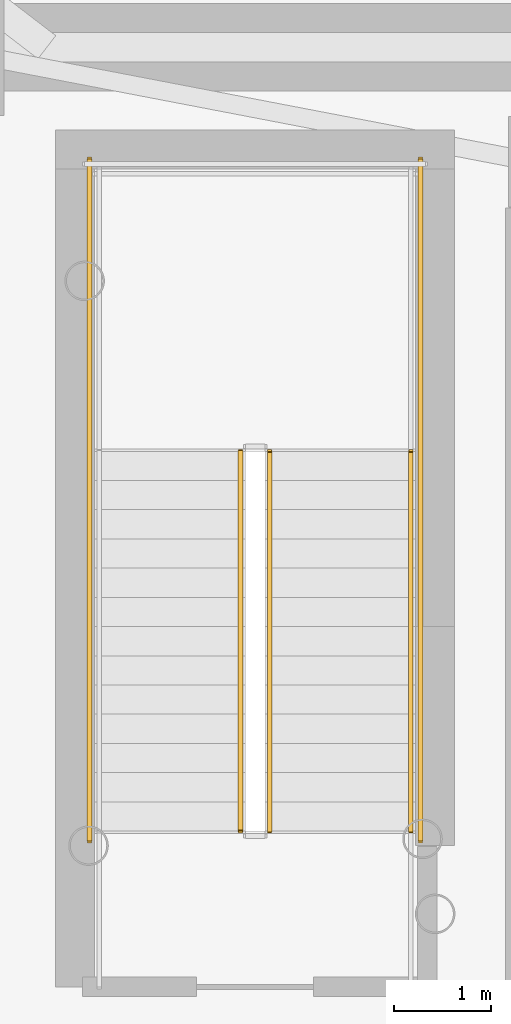
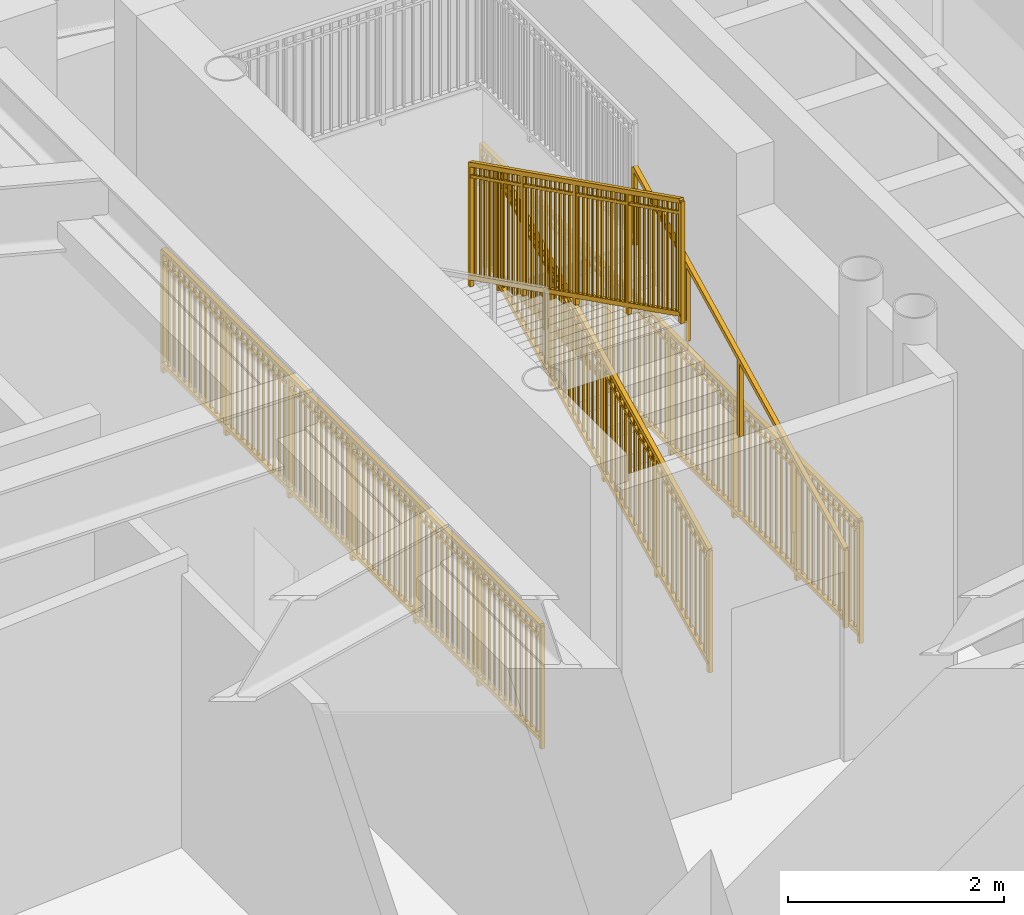
# One storey, part 23 of 30: 5 railings.
"""IFC4 building model written with IfcOpenShell, lengths in metres."""

from ifc_helpers import new_model, si_unit, direction, frame, origin, origin_2d, place, context, subcontext, project, spatial, rectangle, extrude, source, transform, mapped, material, type_object, element, save


model = new_model("IFC4")

# Units and contexts
model_context = context("Model", 3, precision=1e-05, world=origin(), true_north=direction((0.0, 1.0)))
body_context = subcontext(model_context, "Body", "Model", "MODEL_VIEW")
ifc_project = project(units=[si_unit("LENGTHUNIT", "METRE"), si_unit("AREAUNIT", "SQUARE_METRE"), si_unit("VOLUMEUNIT", "CUBIC_METRE"), si_unit("PLANEANGLEUNIT", "RADIAN"), si_unit("MASSUNIT", "GRAM", prefix="KILO")], contexts=[model_context])

# Site, building, storey
site_placement = place(None, origin())
site = spatial("IfcSite", under=ifc_project, at=site_placement, CompositionType="ELEMENT")
building_placement = place(site_placement, origin())
building = spatial("IfcBuilding", under=site, at=building_placement, Name="Linh Dai School and Residence Tower", CompositionType="ELEMENT")
storey_placement = place(building_placement, frame((0.0, 0.0, 10.199951171875)))
storey = spatial("IfcBuildingStorey", under=building, at=storey_placement, Name="L02", CompositionType="ELEMENT", Elevation=10.199951171875)

# Railings
ifc_material_1 = material(Name="Structural Steel S355JR", Category="steel")
railing_type_1 = type_object("IfcRailingType", Name="RL-ST-GUARD-1400", PredefinedType="GUARDRAIL", material=ifc_material_1)
shared_shape_1 = source(origin(), body_context, "Body", "SweptSolid", [
    extrude(rectangle(XDim=0.048095703125, YDim=0.048095703125, at=origin_2d()), frame((0.0, 0.0, 1.3759765625), z_axis=(0.0, 1.0, 0.0), x_axis=(-1.0, 0.0, 0.0)), (0.0, 0.0, 1.0), 7.0),
    extrude(rectangle(XDim=0.048095703125, YDim=0.048095703125, at=origin_2d()), frame((0.0, 0.0, 0.10009765625), z_axis=(0.0, 1.0, 0.0), x_axis=(-1.0, 0.0, 0.0)), (0.0, 0.0, 1.0), 7.0),
    extrude(rectangle(XDim=0.030029296875, YDim=0.030029296875, at=origin_2d()), frame((0.0, 0.0, 1.239990234375), z_axis=(0.0, 1.0, 0.0), x_axis=(-1.0, 0.0, 0.0)), (0.0, 0.0, 1.0), 7.0),
    extrude(rectangle(XDim=0.02001953125, YDim=0.02001953125, at=origin_2d()), frame((0.0, 0.09716796875, 0.10009765625)), (0.0, 0.0, 1.0), 1.251708984375),
    extrude(rectangle(XDim=0.02001953125, YDim=0.02001953125, at=origin_2d()), frame((0.0, 0.1943359375, 0.10009765625)), (0.0, 0.0, 1.0), 1.251708984375),
    extrude(rectangle(XDim=0.02001953125, YDim=0.02001953125, at=origin_2d()), frame((0.0, 0.291748046875, 0.10009765625)), (0.0, 0.0, 1.0), 1.251708984375),
    extrude(rectangle(XDim=0.02001953125, YDim=0.02001953125, at=origin_2d()), frame((0.0, 0.388916015625, 0.10009765625)), (0.0, 0.0, 1.0), 1.251708984375),
    extrude(rectangle(XDim=0.02001953125, YDim=0.02001953125, at=origin_2d()), frame((0.0, 0.486083984375, 0.10009765625)), (0.0, 0.0, 1.0), 1.251708984375),
    extrude(rectangle(XDim=0.02001953125, YDim=0.02001953125, at=origin_2d()), frame((0.0, 0.583251953125, 0.10009765625)), (0.0, 0.0, 1.0), 1.251708984375),
    extrude(rectangle(XDim=0.02001953125, YDim=0.02001953125, at=origin_2d()), frame((0.0, 0.6806640625, 0.10009765625)), (0.0, 0.0, 1.0), 1.251708984375),
    extrude(rectangle(XDim=0.02001953125, YDim=0.02001953125, at=origin_2d()), frame((0.0, 0.77783203125, 0.10009765625)), (0.0, 0.0, 1.0), 1.251708984375),
    extrude(rectangle(XDim=0.02001953125, YDim=0.02001953125, at=origin_2d()), frame((0.0, 0.875, 0.10009765625)), (0.0, 0.0, 1.0), 1.251708984375),
    extrude(rectangle(XDim=0.02001953125, YDim=0.02001953125, at=origin_2d()), frame((0.0, 0.97216796875, 0.10009765625)), (0.0, 0.0, 1.0), 1.251708984375),
    extrude(rectangle(XDim=0.02001953125, YDim=0.02001953125, at=origin_2d()), frame((0.0, 1.0693359375, 0.10009765625)), (0.0, 0.0, 1.0), 1.251708984375),
    extrude(rectangle(XDim=0.02001953125, YDim=0.02001953125, at=origin_2d()), frame((0.0, 1.263916015625, 0.10009765625)), (0.0, 0.0, 1.0), 1.251708984375),
    extrude(rectangle(XDim=0.02001953125, YDim=0.02001953125, at=origin_2d()), frame((0.0, 1.361083984375, 0.10009765625)), (0.0, 0.0, 1.0), 1.251708984375),
    extrude(rectangle(XDim=0.02001953125, YDim=0.02001953125, at=origin_2d()), frame((0.0, 1.458251953125, 0.10009765625)), (0.0, 0.0, 1.0), 1.251708984375),
    extrude(rectangle(XDim=0.02001953125, YDim=0.02001953125, at=origin_2d()), frame((0.0, 1.5556640625, 0.10009765625)), (0.0, 0.0, 1.0), 1.251708984375),
    extrude(rectangle(XDim=0.02001953125, YDim=0.02001953125, at=origin_2d()), frame((0.0, 1.65283203125, 0.10009765625)), (0.0, 0.0, 1.0), 1.251708984375),
    extrude(rectangle(XDim=0.02001953125, YDim=0.02001953125, at=origin_2d()), frame((0.0, 1.75, 0.10009765625)), (0.0, 0.0, 1.0), 1.251708984375),
    extrude(rectangle(XDim=0.02001953125, YDim=0.02001953125, at=origin_2d()), frame((0.0, 1.84716796875, 0.10009765625)), (0.0, 0.0, 1.0), 1.251708984375),
    extrude(rectangle(XDim=0.02001953125, YDim=0.02001953125, at=origin_2d()), frame((0.0, 1.9443359375, 0.10009765625)), (0.0, 0.0, 1.0), 1.251708984375),
    extrude(rectangle(XDim=0.02001953125, YDim=0.02001953125, at=origin_2d()), frame((0.0, 2.041748046875, 0.10009765625)), (0.0, 0.0, 1.0), 1.251708984375),
    extrude(rectangle(XDim=0.02001953125, YDim=0.02001953125, at=origin_2d()), frame((0.0, 2.138916015625, 0.10009765625)), (0.0, 0.0, 1.0), 1.251708984375),
    extrude(rectangle(XDim=0.02001953125, YDim=0.02001953125, at=origin_2d()), frame((0.0, 2.236083984375, 0.10009765625)), (0.0, 0.0, 1.0), 1.251708984375),
    extrude(rectangle(XDim=0.02001953125, YDim=0.02001953125, at=origin_2d()), frame((0.0, 2.4306640625, 0.10009765625)), (0.0, 0.0, 1.0), 1.251708984375),
    extrude(rectangle(XDim=0.02001953125, YDim=0.02001953125, at=origin_2d()), frame((0.0, 2.52783203125, 0.10009765625)), (0.0, 0.0, 1.0), 1.251708984375),
    extrude(rectangle(XDim=0.02001953125, YDim=0.02001953125, at=origin_2d()), frame((0.0, 2.625, 0.10009765625)), (0.0, 0.0, 1.0), 1.251708984375),
    extrude(rectangle(XDim=0.02001953125, YDim=0.02001953125, at=origin_2d()), frame((0.0, 2.72216796875, 0.10009765625)), (0.0, 0.0, 1.0), 1.251708984375),
    extrude(rectangle(XDim=0.02001953125, YDim=0.02001953125, at=origin_2d()), frame((0.0, 2.8193359375, 0.10009765625)), (0.0, 0.0, 1.0), 1.251708984375),
    extrude(rectangle(XDim=0.02001953125, YDim=0.02001953125, at=origin_2d()), frame((0.0, 2.916748046875, 0.10009765625)), (0.0, 0.0, 1.0), 1.251708984375),
    extrude(rectangle(XDim=0.02001953125, YDim=0.02001953125, at=origin_2d()), frame((0.0, 3.013916015625, 0.10009765625)), (0.0, 0.0, 1.0), 1.251708984375),
    extrude(rectangle(XDim=0.02001953125, YDim=0.02001953125, at=origin_2d()), frame((0.0, 3.111083984375, 0.10009765625)), (0.0, 0.0, 1.0), 1.251708984375),
    extrude(rectangle(XDim=0.02001953125, YDim=0.02001953125, at=origin_2d()), frame((0.0, 3.208251953125, 0.10009765625)), (0.0, 0.0, 1.0), 1.251708984375),
    extrude(rectangle(XDim=0.02001953125, YDim=0.02001953125, at=origin_2d()), frame((0.0, 3.3056640625, 0.10009765625)), (0.0, 0.0, 1.0), 1.251708984375),
    extrude(rectangle(XDim=0.02001953125, YDim=0.02001953125, at=origin_2d()), frame((0.0, 3.40283203125, 0.10009765625)), (0.0, 0.0, 1.0), 1.251708984375),
    extrude(rectangle(XDim=0.02001953125, YDim=0.02001953125, at=origin_2d()), frame((0.0, 3.59716796875, 0.10009765625)), (0.0, 0.0, 1.0), 1.251708984375),
    extrude(rectangle(XDim=0.02001953125, YDim=0.02001953125, at=origin_2d()), frame((0.0, 3.6943359375, 0.10009765625)), (0.0, 0.0, 1.0), 1.251708984375),
    extrude(rectangle(XDim=0.02001953125, YDim=0.02001953125, at=origin_2d()), frame((0.0, 3.791748046875, 0.10009765625)), (0.0, 0.0, 1.0), 1.251708984375),
    extrude(rectangle(XDim=0.02001953125, YDim=0.02001953125, at=origin_2d()), frame((0.0, 3.888916015625, 0.10009765625)), (0.0, 0.0, 1.0), 1.251708984375),
    extrude(rectangle(XDim=0.02001953125, YDim=0.02001953125, at=origin_2d()), frame((0.0, 3.986083984375, 0.10009765625)), (0.0, 0.0, 1.0), 1.251708984375),
    extrude(rectangle(XDim=0.02001953125, YDim=0.02001953125, at=origin_2d()), frame((0.0, 4.083251953125, 0.10009765625)), (0.0, 0.0, 1.0), 1.251708984375),
    extrude(rectangle(XDim=0.02001953125, YDim=0.02001953125, at=origin_2d()), frame((0.0, 4.1806640625, 0.10009765625)), (0.0, 0.0, 1.0), 1.251708984375),
    extrude(rectangle(XDim=0.02001953125, YDim=0.02001953125, at=origin_2d()), frame((0.0, 4.27783203125, 0.10009765625)), (0.0, 0.0, 1.0), 1.251708984375),
    extrude(rectangle(XDim=0.02001953125, YDim=0.02001953125, at=origin_2d()), frame((0.0, 4.375, 0.10009765625)), (0.0, 0.0, 1.0), 1.251708984375),
    extrude(rectangle(XDim=0.02001953125, YDim=0.02001953125, at=origin_2d()), frame((0.0, 4.47216796875, 0.10009765625)), (0.0, 0.0, 1.0), 1.251708984375),
    extrude(rectangle(XDim=0.02001953125, YDim=0.02001953125, at=origin_2d()), frame((0.0, 4.5693359375, 0.10009765625)), (0.0, 0.0, 1.0), 1.251708984375),
    extrude(rectangle(XDim=0.02001953125, YDim=0.02001953125, at=origin_2d()), frame((0.0, 4.763916015625, 0.10009765625)), (0.0, 0.0, 1.0), 1.251708984375),
    extrude(rectangle(XDim=0.02001953125, YDim=0.02001953125, at=origin_2d()), frame((0.0, 4.861083984375, 0.10009765625)), (0.0, 0.0, 1.0), 1.251708984375),
    extrude(rectangle(XDim=0.02001953125, YDim=0.02001953125, at=origin_2d()), frame((0.0, 4.958251953125, 0.10009765625)), (0.0, 0.0, 1.0), 1.251708984375),
    extrude(rectangle(XDim=0.02001953125, YDim=0.02001953125, at=origin_2d()), frame((0.0, 5.0556640625, 0.10009765625)), (0.0, 0.0, 1.0), 1.251708984375),
    extrude(rectangle(XDim=0.02001953125, YDim=0.02001953125, at=origin_2d()), frame((0.0, 5.15283203125, 0.10009765625)), (0.0, 0.0, 1.0), 1.251708984375),
    extrude(rectangle(XDim=0.02001953125, YDim=0.02001953125, at=origin_2d()), frame((0.0, 5.25, 0.10009765625)), (0.0, 0.0, 1.0), 1.251708984375),
    extrude(rectangle(XDim=0.02001953125, YDim=0.02001953125, at=origin_2d()), frame((0.0, 5.34716796875, 0.10009765625)), (0.0, 0.0, 1.0), 1.251708984375),
    extrude(rectangle(XDim=0.02001953125, YDim=0.02001953125, at=origin_2d()), frame((0.0, 5.4443359375, 0.10009765625)), (0.0, 0.0, 1.0), 1.251708984375),
    extrude(rectangle(XDim=0.02001953125, YDim=0.02001953125, at=origin_2d()), frame((0.0, 5.541748046875, 0.10009765625)), (0.0, 0.0, 1.0), 1.251708984375),
    extrude(rectangle(XDim=0.02001953125, YDim=0.02001953125, at=origin_2d()), frame((0.0, 5.638916015625, 0.10009765625)), (0.0, 0.0, 1.0), 1.251708984375),
    extrude(rectangle(XDim=0.02001953125, YDim=0.02001953125, at=origin_2d()), frame((0.0, 5.736083984375, 0.10009765625)), (0.0, 0.0, 1.0), 1.251708984375),
    extrude(rectangle(XDim=0.02001953125, YDim=0.02001953125, at=origin_2d()), frame((0.0, 5.9306640625, 0.10009765625)), (0.0, 0.0, 1.0), 1.251708984375),
    extrude(rectangle(XDim=0.02001953125, YDim=0.02001953125, at=origin_2d()), frame((0.0, 6.02783203125, 0.10009765625)), (0.0, 0.0, 1.0), 1.251708984375),
    extrude(rectangle(XDim=0.02001953125, YDim=0.02001953125, at=origin_2d()), frame((0.0, 6.125, 0.10009765625)), (0.0, 0.0, 1.0), 1.251708984375),
    extrude(rectangle(XDim=0.02001953125, YDim=0.02001953125, at=origin_2d()), frame((0.0, 6.22216796875, 0.10009765625)), (0.0, 0.0, 1.0), 1.251708984375),
    extrude(rectangle(XDim=0.02001953125, YDim=0.02001953125, at=origin_2d()), frame((0.0, 6.3193359375, 0.10009765625)), (0.0, 0.0, 1.0), 1.251708984375),
    extrude(rectangle(XDim=0.02001953125, YDim=0.02001953125, at=origin_2d()), frame((0.0, 6.416748046875, 0.10009765625)), (0.0, 0.0, 1.0), 1.251708984375),
    extrude(rectangle(XDim=0.02001953125, YDim=0.02001953125, at=origin_2d()), frame((0.0, 6.513916015625, 0.10009765625)), (0.0, 0.0, 1.0), 1.251708984375),
    extrude(rectangle(XDim=0.02001953125, YDim=0.02001953125, at=origin_2d()), frame((0.0, 6.611083984375, 0.10009765625)), (0.0, 0.0, 1.0), 1.251708984375),
    extrude(rectangle(XDim=0.02001953125, YDim=0.02001953125, at=origin_2d()), frame((0.0, 6.708251953125, 0.10009765625)), (0.0, 0.0, 1.0), 1.251708984375),
    extrude(rectangle(XDim=0.02001953125, YDim=0.02001953125, at=origin_2d()), frame((0.0, 6.8056640625, 0.10009765625)), (0.0, 0.0, 1.0), 1.251708984375),
    extrude(rectangle(XDim=0.02001953125, YDim=0.02001953125, at=origin_2d()), frame((0.0, 6.90283203125, 0.10009765625)), (0.0, 0.0, 1.0), 1.251708984375),
    extrude(rectangle(XDim=0.0419921875, YDim=0.0419921875, at=origin_2d()), origin(), (0.0, 0.0, 1.0), 1.3759765625),
    extrude(rectangle(XDim=0.0419921875, YDim=0.0419921875, at=origin_2d()), frame((0.0, 1.166748046875, 0.0)), (0.0, 0.0, 1.0), 1.3759765625),
    extrude(rectangle(XDim=0.0419921875, YDim=0.0419921875, at=origin_2d()), frame((0.0, 2.333251953125, 0.0)), (0.0, 0.0, 1.0), 1.3759765625),
    extrude(rectangle(XDim=0.0419921875, YDim=0.0419921875, at=origin_2d()), frame((0.0, 3.5, 0.0)), (0.0, 0.0, 1.0), 1.3759765625),
    extrude(rectangle(XDim=0.0419921875, YDim=0.0419921875, at=origin_2d()), frame((0.0, 4.666748046875, 0.0)), (0.0, 0.0, 1.0), 1.3759765625),
    extrude(rectangle(XDim=0.0419921875, YDim=0.0419921875, at=origin_2d()), frame((0.0, 5.833251953125, 0.0)), (0.0, 0.0, 1.0), 1.3759765625),
    extrude(rectangle(XDim=0.0419921875, YDim=0.0419921875, at=origin_2d()), frame((0.0, 7.0, 0.0)), (0.0, 0.0, 1.0), 1.3759765625),
])
for number, where, name in (
    (1, (31.030029296875, 25.60009765625, 0.0), "L02 ST1 stair guard 10"),
    (2, (27.6298828125, 25.60009765625, 0.0), "L02 ST1 stair guard 11"),
):
    element("IfcRailing", number, at=place(storey_placement, frame(where)), inside=storey, type_object=railing_type_1, Name=name, PredefinedType="GUARDRAIL", context=body_context, shape_type="MappedRepresentation", body=[
        mapped(shared_shape_1, transform((0.0, 0.0, 0.0), x_axis=(1.0, 0.0, 0.0), y_axis=(0.0, 1.0, 0.0), z_axis=(0.0, 0.0, 1.0), scale=1.0)),
    ])
shared_shape_2 = source(origin(), body_context, "Body", "SweptSolid", [
    extrude(rectangle(XDim=0.048095703125, YDim=0.048095703125, at=origin_2d()), frame((0.0, 0.0, 1.3759765625), z_axis=(0.0, -0.894438388696, 0.447191199406), x_axis=(1.0, 0.0, 0.0)), (0.0, 0.0, 1.0), 4.3603515625),
    extrude(rectangle(XDim=0.048095703125, YDim=0.048095703125, at=origin_2d()), frame((0.0, 0.0, 0.10009765625), z_axis=(0.0, -0.894438388696, 0.447191199406), x_axis=(1.0, 0.0, 0.0)), (0.0, 0.0, 1.0), 4.3603515625),
    extrude(rectangle(XDim=0.030029296875, YDim=0.030029296875, at=origin_2d()), frame((0.0, 0.0, 1.239990234375), z_axis=(0.0, -0.894438388696, 0.447191199406), x_axis=(1.0, 0.0, 0.0)), (0.0, 0.0, 1.0), 4.3603515625),
    extrude(rectangle(XDim=0.02001953125, YDim=0.02001953125, at=origin_2d()), frame((0.0, -0.086669921875, 0.143310546875)), (0.0, 0.0, 1.0), 1.251708984375),
    extrude(rectangle(XDim=0.02001953125, YDim=0.02001953125, at=origin_2d()), frame((0.0, -0.17333984375, 0.186767578125)), (0.0, 0.0, 1.0), 1.251708984375),
    extrude(rectangle(XDim=0.02001953125, YDim=0.02001953125, at=origin_2d()), frame((0.0, -0.260009765625, 0.22998046875)), (0.0, 0.0, 1.0), 1.251708984375),
    extrude(rectangle(XDim=0.02001953125, YDim=0.02001953125, at=origin_2d()), frame((0.0, -0.3466796875, 0.2734375)), (0.0, 0.0, 1.0), 1.251708984375),
    extrude(rectangle(XDim=0.02001953125, YDim=0.02001953125, at=origin_2d()), frame((0.0, -0.433349609375, 0.316650390625)), (0.0, 0.0, 1.0), 1.251708984375),
    extrude(rectangle(XDim=0.02001953125, YDim=0.02001953125, at=origin_2d()), frame((0.0, -0.52001953125, 0.360107421875)), (0.0, 0.0, 1.0), 1.251708984375),
    extrude(rectangle(XDim=0.02001953125, YDim=0.02001953125, at=origin_2d()), frame((0.0, -0.606689453125, 0.4033203125)), (0.0, 0.0, 1.0), 1.251708984375),
    extrude(rectangle(XDim=0.02001953125, YDim=0.02001953125, at=origin_2d()), frame((0.0, -0.693359375, 0.44677734375)), (0.0, 0.0, 1.0), 1.251708984375),
    extrude(rectangle(XDim=0.02001953125, YDim=0.02001953125, at=origin_2d()), frame((0.0, -0.780029296875, 0.489990234375)), (0.0, 0.0, 1.0), 1.251708984375),
    extrude(rectangle(XDim=0.02001953125, YDim=0.02001953125, at=origin_2d()), frame((0.0, -0.86669921875, 0.533447265625)), (0.0, 0.0, 1.0), 1.251708984375),
    extrude(rectangle(XDim=0.02001953125, YDim=0.02001953125, at=origin_2d()), frame((0.0, -1.0400390625, 0.6201171875)), (0.0, 0.0, 1.0), 1.251708984375),
    extrude(rectangle(XDim=0.02001953125, YDim=0.02001953125, at=origin_2d()), frame((0.0, -1.126708984375, 0.663330078125)), (0.0, 0.0, 1.0), 1.251708984375),
    extrude(rectangle(XDim=0.02001953125, YDim=0.02001953125, at=origin_2d()), frame((0.0, -1.21337890625, 0.706787109375)), (0.0, 0.0, 1.0), 1.251708984375),
    extrude(rectangle(XDim=0.02001953125, YDim=0.02001953125, at=origin_2d()), frame((0.0, -1.300048828125, 0.75)), (0.0, 0.0, 1.0), 1.251708984375),
    extrude(rectangle(XDim=0.02001953125, YDim=0.02001953125, at=origin_2d()), frame((0.0, -1.38671875, 0.79345703125)), (0.0, 0.0, 1.0), 1.251708984375),
    extrude(rectangle(XDim=0.02001953125, YDim=0.02001953125, at=origin_2d()), frame((0.0, -1.473388671875, 0.836669921875)), (0.0, 0.0, 1.0), 1.251708984375),
    extrude(rectangle(XDim=0.02001953125, YDim=0.02001953125, at=origin_2d()), frame((0.0, -1.56005859375, 0.880126953125)), (0.0, 0.0, 1.0), 1.251708984375),
    extrude(rectangle(XDim=0.02001953125, YDim=0.02001953125, at=origin_2d()), frame((0.0, -1.646728515625, 0.92333984375)), (0.0, 0.0, 1.0), 1.251708984375),
    extrude(rectangle(XDim=0.02001953125, YDim=0.02001953125, at=origin_2d()), frame((0.0, -1.7333984375, 0.966796875)), (0.0, 0.0, 1.0), 1.251708984375),
    extrude(rectangle(XDim=0.02001953125, YDim=0.02001953125, at=origin_2d()), frame((0.0, -1.820068359375, 1.010009765625)), (0.0, 0.0, 1.0), 1.251708984375),
    extrude(rectangle(XDim=0.02001953125, YDim=0.02001953125, at=origin_2d()), frame((0.0, -1.90673828125, 1.053466796875)), (0.0, 0.0, 1.0), 1.251708984375),
    extrude(rectangle(XDim=0.02001953125, YDim=0.02001953125, at=origin_2d()), frame((0.0, -1.993408203125, 1.0966796875)), (0.0, 0.0, 1.0), 1.251708984375),
    extrude(rectangle(XDim=0.02001953125, YDim=0.02001953125, at=origin_2d()), frame((0.0, -2.080078125, 1.14013671875)), (0.0, 0.0, 1.0), 1.251708984375),
    extrude(rectangle(XDim=0.02001953125, YDim=0.02001953125, at=origin_2d()), frame((0.0, -2.166748046875, 1.183349609375)), (0.0, 0.0, 1.0), 1.251708984375),
    extrude(rectangle(XDim=0.02001953125, YDim=0.02001953125, at=origin_2d()), frame((0.0, -2.25341796875, 1.226806640625)), (0.0, 0.0, 1.0), 1.251708984375),
    extrude(rectangle(XDim=0.02001953125, YDim=0.02001953125, at=origin_2d()), frame((0.0, -2.340087890625, 1.27001953125)), (0.0, 0.0, 1.0), 1.251708984375),
    extrude(rectangle(XDim=0.02001953125, YDim=0.02001953125, at=origin_2d()), frame((0.0, -2.4267578125, 1.3134765625)), (0.0, 0.0, 1.0), 1.251708984375),
    extrude(rectangle(XDim=0.02001953125, YDim=0.02001953125, at=origin_2d()), frame((0.0, -2.513427734375, 1.356689453125)), (0.0, 0.0, 1.0), 1.251708984375),
    extrude(rectangle(XDim=0.02001953125, YDim=0.02001953125, at=origin_2d()), frame((0.0, -2.60009765625, 1.400146484375)), (0.0, 0.0, 1.0), 1.251708984375),
    extrude(rectangle(XDim=0.02001953125, YDim=0.02001953125, at=origin_2d()), frame((0.0, -2.686767578125, 1.443359375)), (0.0, 0.0, 1.0), 1.251708984375),
    extrude(rectangle(XDim=0.02001953125, YDim=0.02001953125, at=origin_2d()), frame((0.0, -2.7734375, 1.48681640625)), (0.0, 0.0, 1.0), 1.251708984375),
    extrude(rectangle(XDim=0.02001953125, YDim=0.02001953125, at=origin_2d()), frame((0.0, -2.860107421875, 1.530029296875)), (0.0, 0.0, 1.0), 1.251708984375),
    extrude(rectangle(XDim=0.02001953125, YDim=0.02001953125, at=origin_2d()), frame((0.0, -3.033447265625, 1.61669921875)), (0.0, 0.0, 1.0), 1.251708984375),
    extrude(rectangle(XDim=0.02001953125, YDim=0.02001953125, at=origin_2d()), frame((0.0, -3.1201171875, 1.66015625)), (0.0, 0.0, 1.0), 1.251708984375),
    extrude(rectangle(XDim=0.02001953125, YDim=0.02001953125, at=origin_2d()), frame((0.0, -3.206787109375, 1.703369140625)), (0.0, 0.0, 1.0), 1.251708984375),
    extrude(rectangle(XDim=0.02001953125, YDim=0.02001953125, at=origin_2d()), frame((0.0, -3.29345703125, 1.746826171875)), (0.0, 0.0, 1.0), 1.251708984375),
    extrude(rectangle(XDim=0.02001953125, YDim=0.02001953125, at=origin_2d()), frame((0.0, -3.380126953125, 1.7900390625)), (0.0, 0.0, 1.0), 1.251708984375),
    extrude(rectangle(XDim=0.02001953125, YDim=0.02001953125, at=origin_2d()), frame((0.0, -3.466796875, 1.83349609375)), (0.0, 0.0, 1.0), 1.251708984375),
    extrude(rectangle(XDim=0.02001953125, YDim=0.02001953125, at=origin_2d()), frame((0.0, -3.553466796875, 1.876708984375)), (0.0, 0.0, 1.0), 1.251708984375),
    extrude(rectangle(XDim=0.02001953125, YDim=0.02001953125, at=origin_2d()), frame((0.0, -3.64013671875, 1.920166015625)), (0.0, 0.0, 1.0), 1.251708984375),
    extrude(rectangle(XDim=0.02001953125, YDim=0.02001953125, at=origin_2d()), frame((0.0, -3.726806640625, 1.96337890625)), (0.0, 0.0, 1.0), 1.251708984375),
    extrude(rectangle(XDim=0.02001953125, YDim=0.02001953125, at=origin_2d()), frame((0.0, -3.8134765625, 2.0068359375)), (0.0, 0.0, 1.0), 1.251708984375),
    extrude(rectangle(XDim=0.0419921875, YDim=0.0419921875, at=origin_2d()), origin(), (0.0, 0.0, 1.0), 1.3759765625),
    extrude(rectangle(XDim=0.0419921875, YDim=0.0419921875, at=origin_2d()), frame((0.0, -0.97509765625, 0.487548828125)), (0.0, 0.0, 1.0), 1.3759765625),
    extrude(rectangle(XDim=0.0419921875, YDim=0.0419921875, at=origin_2d()), frame((0.0, -1.9501953125, 0.97509765625)), (0.0, 0.0, 1.0), 1.3759765625),
    extrude(rectangle(XDim=0.0419921875, YDim=0.0419921875, at=origin_2d()), frame((0.0, -2.925048828125, 1.46240234375)), (0.0, 0.0, 1.0), 1.3759765625),
    extrude(rectangle(XDim=0.0419921875, YDim=0.0419921875, at=origin_2d()), frame((0.0, -3.900146484375, 1.949951171875)), (0.0, 0.0, 1.0), 1.3759765625),
])
railing_1_placement = place(storey_placement, frame((29.179931640625, 29.60009765625, 2.25)))
element("IfcRailing", 3, at=railing_1_placement, inside=storey, type_object=railing_type_1, Name="L02 ST1 stair guard 6", PredefinedType="GUARDRAIL", context=body_context, shape_type="MappedRepresentation", body=[
    mapped(shared_shape_2, transform((0.0, 0.0, 0.0), x_axis=(1.0, 0.0, 0.0), y_axis=(0.0, 1.0, 0.0), z_axis=(0.0, 0.0, 1.0), scale=1.0)),
])
shared_shape_3 = source(origin(), body_context, "Body", "SweptSolid", [
    extrude(rectangle(XDim=0.048095703125, YDim=0.048095703125, at=origin_2d()), frame((0.0, 0.0, 1.3759765625), z_axis=(0.0, 0.894438388696, 0.447191199406), x_axis=(-1.0, 0.0, 0.0)), (0.0, 0.0, 1.0), 4.3603515625),
    extrude(rectangle(XDim=0.048095703125, YDim=0.048095703125, at=origin_2d()), frame((0.0, 0.0, 0.10009765625), z_axis=(0.0, 0.894438388696, 0.447191199406), x_axis=(-1.0, 0.0, 0.0)), (0.0, 0.0, 1.0), 4.3603515625),
    extrude(rectangle(XDim=0.030029296875, YDim=0.030029296875, at=origin_2d()), frame((0.0, 0.0, 1.239990234375), z_axis=(0.0, 0.894438388696, 0.447191199406), x_axis=(-1.0, 0.0, 0.0)), (0.0, 0.0, 1.0), 4.3603515625),
    extrude(rectangle(XDim=0.02001953125, YDim=0.02001953125, at=origin_2d()), frame((0.0, 0.086669921875, 0.143310546875)), (0.0, 0.0, 1.0), 1.251708984375),
    extrude(rectangle(XDim=0.02001953125, YDim=0.02001953125, at=origin_2d()), frame((0.0, 0.17333984375, 0.186767578125)), (0.0, 0.0, 1.0), 1.251708984375),
    extrude(rectangle(XDim=0.02001953125, YDim=0.02001953125, at=origin_2d()), frame((0.0, 0.260009765625, 0.22998046875)), (0.0, 0.0, 1.0), 1.251708984375),
    extrude(rectangle(XDim=0.02001953125, YDim=0.02001953125, at=origin_2d()), frame((0.0, 0.3466796875, 0.2734375)), (0.0, 0.0, 1.0), 1.251708984375),
    extrude(rectangle(XDim=0.02001953125, YDim=0.02001953125, at=origin_2d()), frame((0.0, 0.433349609375, 0.316650390625)), (0.0, 0.0, 1.0), 1.251708984375),
    extrude(rectangle(XDim=0.02001953125, YDim=0.02001953125, at=origin_2d()), frame((0.0, 0.52001953125, 0.360107421875)), (0.0, 0.0, 1.0), 1.251708984375),
    extrude(rectangle(XDim=0.02001953125, YDim=0.02001953125, at=origin_2d()), frame((0.0, 0.606689453125, 0.4033203125)), (0.0, 0.0, 1.0), 1.251708984375),
    extrude(rectangle(XDim=0.02001953125, YDim=0.02001953125, at=origin_2d()), frame((0.0, 0.693359375, 0.44677734375)), (0.0, 0.0, 1.0), 1.251708984375),
    extrude(rectangle(XDim=0.02001953125, YDim=0.02001953125, at=origin_2d()), frame((0.0, 0.780029296875, 0.489990234375)), (0.0, 0.0, 1.0), 1.251708984375),
    extrude(rectangle(XDim=0.02001953125, YDim=0.02001953125, at=origin_2d()), frame((0.0, 0.86669921875, 0.533447265625)), (0.0, 0.0, 1.0), 1.251708984375),
    extrude(rectangle(XDim=0.02001953125, YDim=0.02001953125, at=origin_2d()), frame((0.0, 1.0400390625, 0.6201171875)), (0.0, 0.0, 1.0), 1.251708984375),
    extrude(rectangle(XDim=0.02001953125, YDim=0.02001953125, at=origin_2d()), frame((0.0, 1.126708984375, 0.663330078125)), (0.0, 0.0, 1.0), 1.251708984375),
    extrude(rectangle(XDim=0.02001953125, YDim=0.02001953125, at=origin_2d()), frame((0.0, 1.21337890625, 0.706787109375)), (0.0, 0.0, 1.0), 1.251708984375),
    extrude(rectangle(XDim=0.02001953125, YDim=0.02001953125, at=origin_2d()), frame((0.0, 1.300048828125, 0.75)), (0.0, 0.0, 1.0), 1.251708984375),
    extrude(rectangle(XDim=0.02001953125, YDim=0.02001953125, at=origin_2d()), frame((0.0, 1.38671875, 0.79345703125)), (0.0, 0.0, 1.0), 1.251708984375),
    extrude(rectangle(XDim=0.02001953125, YDim=0.02001953125, at=origin_2d()), frame((0.0, 1.473388671875, 0.836669921875)), (0.0, 0.0, 1.0), 1.251708984375),
    extrude(rectangle(XDim=0.02001953125, YDim=0.02001953125, at=origin_2d()), frame((0.0, 1.56005859375, 0.880126953125)), (0.0, 0.0, 1.0), 1.251708984375),
    extrude(rectangle(XDim=0.02001953125, YDim=0.02001953125, at=origin_2d()), frame((0.0, 1.646728515625, 0.92333984375)), (0.0, 0.0, 1.0), 1.251708984375),
    extrude(rectangle(XDim=0.02001953125, YDim=0.02001953125, at=origin_2d()), frame((0.0, 1.7333984375, 0.966796875)), (0.0, 0.0, 1.0), 1.251708984375),
    extrude(rectangle(XDim=0.02001953125, YDim=0.02001953125, at=origin_2d()), frame((0.0, 1.820068359375, 1.010009765625)), (0.0, 0.0, 1.0), 1.251708984375),
    extrude(rectangle(XDim=0.02001953125, YDim=0.02001953125, at=origin_2d()), frame((0.0, 1.90673828125, 1.053466796875)), (0.0, 0.0, 1.0), 1.251708984375),
    extrude(rectangle(XDim=0.02001953125, YDim=0.02001953125, at=origin_2d()), frame((0.0, 1.993408203125, 1.0966796875)), (0.0, 0.0, 1.0), 1.251708984375),
    extrude(rectangle(XDim=0.02001953125, YDim=0.02001953125, at=origin_2d()), frame((0.0, 2.080078125, 1.14013671875)), (0.0, 0.0, 1.0), 1.251708984375),
    extrude(rectangle(XDim=0.02001953125, YDim=0.02001953125, at=origin_2d()), frame((0.0, 2.166748046875, 1.183349609375)), (0.0, 0.0, 1.0), 1.251708984375),
    extrude(rectangle(XDim=0.02001953125, YDim=0.02001953125, at=origin_2d()), frame((0.0, 2.25341796875, 1.226806640625)), (0.0, 0.0, 1.0), 1.251708984375),
    extrude(rectangle(XDim=0.02001953125, YDim=0.02001953125, at=origin_2d()), frame((0.0, 2.340087890625, 1.27001953125)), (0.0, 0.0, 1.0), 1.251708984375),
    extrude(rectangle(XDim=0.02001953125, YDim=0.02001953125, at=origin_2d()), frame((0.0, 2.4267578125, 1.3134765625)), (0.0, 0.0, 1.0), 1.251708984375),
    extrude(rectangle(XDim=0.02001953125, YDim=0.02001953125, at=origin_2d()), frame((0.0, 2.513427734375, 1.356689453125)), (0.0, 0.0, 1.0), 1.251708984375),
    extrude(rectangle(XDim=0.02001953125, YDim=0.02001953125, at=origin_2d()), frame((0.0, 2.60009765625, 1.400146484375)), (0.0, 0.0, 1.0), 1.251708984375),
    extrude(rectangle(XDim=0.02001953125, YDim=0.02001953125, at=origin_2d()), frame((0.0, 2.686767578125, 1.443359375)), (0.0, 0.0, 1.0), 1.251708984375),
    extrude(rectangle(XDim=0.02001953125, YDim=0.02001953125, at=origin_2d()), frame((0.0, 2.7734375, 1.48681640625)), (0.0, 0.0, 1.0), 1.251708984375),
    extrude(rectangle(XDim=0.02001953125, YDim=0.02001953125, at=origin_2d()), frame((0.0, 2.860107421875, 1.530029296875)), (0.0, 0.0, 1.0), 1.251708984375),
    extrude(rectangle(XDim=0.02001953125, YDim=0.02001953125, at=origin_2d()), frame((0.0, 3.033447265625, 1.61669921875)), (0.0, 0.0, 1.0), 1.251708984375),
    extrude(rectangle(XDim=0.02001953125, YDim=0.02001953125, at=origin_2d()), frame((0.0, 3.1201171875, 1.66015625)), (0.0, 0.0, 1.0), 1.251708984375),
    extrude(rectangle(XDim=0.02001953125, YDim=0.02001953125, at=origin_2d()), frame((0.0, 3.206787109375, 1.703369140625)), (0.0, 0.0, 1.0), 1.251708984375),
    extrude(rectangle(XDim=0.02001953125, YDim=0.02001953125, at=origin_2d()), frame((0.0, 3.29345703125, 1.746826171875)), (0.0, 0.0, 1.0), 1.251708984375),
    extrude(rectangle(XDim=0.02001953125, YDim=0.02001953125, at=origin_2d()), frame((0.0, 3.380126953125, 1.7900390625)), (0.0, 0.0, 1.0), 1.251708984375),
    extrude(rectangle(XDim=0.02001953125, YDim=0.02001953125, at=origin_2d()), frame((0.0, 3.466796875, 1.83349609375)), (0.0, 0.0, 1.0), 1.251708984375),
    extrude(rectangle(XDim=0.02001953125, YDim=0.02001953125, at=origin_2d()), frame((0.0, 3.553466796875, 1.876708984375)), (0.0, 0.0, 1.0), 1.251708984375),
    extrude(rectangle(XDim=0.02001953125, YDim=0.02001953125, at=origin_2d()), frame((0.0, 3.64013671875, 1.920166015625)), (0.0, 0.0, 1.0), 1.251708984375),
    extrude(rectangle(XDim=0.02001953125, YDim=0.02001953125, at=origin_2d()), frame((0.0, 3.726806640625, 1.96337890625)), (0.0, 0.0, 1.0), 1.251708984375),
    extrude(rectangle(XDim=0.02001953125, YDim=0.02001953125, at=origin_2d()), frame((0.0, 3.8134765625, 2.0068359375)), (0.0, 0.0, 1.0), 1.251708984375),
    extrude(rectangle(XDim=0.0419921875, YDim=0.0419921875, at=origin_2d()), origin(), (0.0, 0.0, 1.0), 1.3759765625),
    extrude(rectangle(XDim=0.0419921875, YDim=0.0419921875, at=origin_2d()), frame((0.0, 0.97509765625, 0.487548828125)), (0.0, 0.0, 1.0), 1.3759765625),
    extrude(rectangle(XDim=0.0419921875, YDim=0.0419921875, at=origin_2d()), frame((0.0, 1.9501953125, 0.97509765625)), (0.0, 0.0, 1.0), 1.3759765625),
    extrude(rectangle(XDim=0.0419921875, YDim=0.0419921875, at=origin_2d()), frame((0.0, 2.925048828125, 1.46240234375)), (0.0, 0.0, 1.0), 1.3759765625),
    extrude(rectangle(XDim=0.0419921875, YDim=0.0419921875, at=origin_2d()), frame((0.0, 3.900146484375, 1.949951171875)), (0.0, 0.0, 1.0), 1.3759765625),
])
railing_2_placement = place(storey_placement, frame((29.47998046875, 25.699951171875, 0.150146484375)))
element("IfcRailing", 4, at=railing_2_placement, inside=storey, type_object=railing_type_1, Name="L02 ST1 stair guard 1", PredefinedType="GUARDRAIL", context=body_context, shape_type="MappedRepresentation", body=[
    mapped(shared_shape_3, transform((0.0, 0.0, 0.0), x_axis=(1.0, 0.0, 0.0), y_axis=(0.0, 1.0, 0.0), z_axis=(0.0, 0.0, 1.0), scale=1.0)),
])
ifc_material_2 = material(Name="Brushed Stainless Steel Handrail", Category="steel")
railing_type_2 = type_object("IfcRailingType", Name="RL-ST-HANDRAIL-900", PredefinedType="HANDRAIL", material=ifc_material_2)
shared_shape_4 = source(origin(), body_context, "Body", "SweptSolid", [
    extrude(rectangle(XDim=0.048095703125, YDim=0.048095703125, at=origin_2d()), frame((0.0, 0.0, 0.8759765625), z_axis=(0.0, 0.894438388696, 0.447191199406), x_axis=(-1.0, 0.0, 0.0)), (0.0, 0.0, 1.0), 4.3603515625),
    extrude(rectangle(XDim=0.0419921875, YDim=0.0419921875, at=origin_2d()), origin(), (0.0, 0.0, 1.0), 0.8759765625),
    extrude(rectangle(XDim=0.0419921875, YDim=0.0419921875, at=origin_2d()), frame((0.0, 0.97509765625, 0.487548828125)), (0.0, 0.0, 1.0), 0.8759765625),
    extrude(rectangle(XDim=0.0419921875, YDim=0.0419921875, at=origin_2d()), frame((0.0, 1.9501953125, 0.97509765625)), (0.0, 0.0, 1.0), 0.8759765625),
    extrude(rectangle(XDim=0.0419921875, YDim=0.0419921875, at=origin_2d()), frame((0.0, 2.925048828125, 1.46240234375)), (0.0, 0.0, 1.0), 0.8759765625),
    extrude(rectangle(XDim=0.0419921875, YDim=0.0419921875, at=origin_2d()), frame((0.0, 3.900146484375, 1.949951171875)), (0.0, 0.0, 1.0), 0.8759765625),
])
railing_3_placement = place(storey_placement, frame((30.929931640625, 25.699951171875, 0.150146484375)))
element("IfcRailing", 5, at=railing_3_placement, inside=storey, type_object=railing_type_2, Name="L02 ST1 stair handrail 1", PredefinedType="HANDRAIL", context=body_context, shape_type="MappedRepresentation", body=[
    mapped(shared_shape_4, transform((0.0, 0.0, 0.0), x_axis=(1.0, 0.0, 0.0), y_axis=(0.0, 1.0, 0.0), z_axis=(0.0, 0.0, 1.0), scale=1.0)),
])

save(model, "model.ifc")
